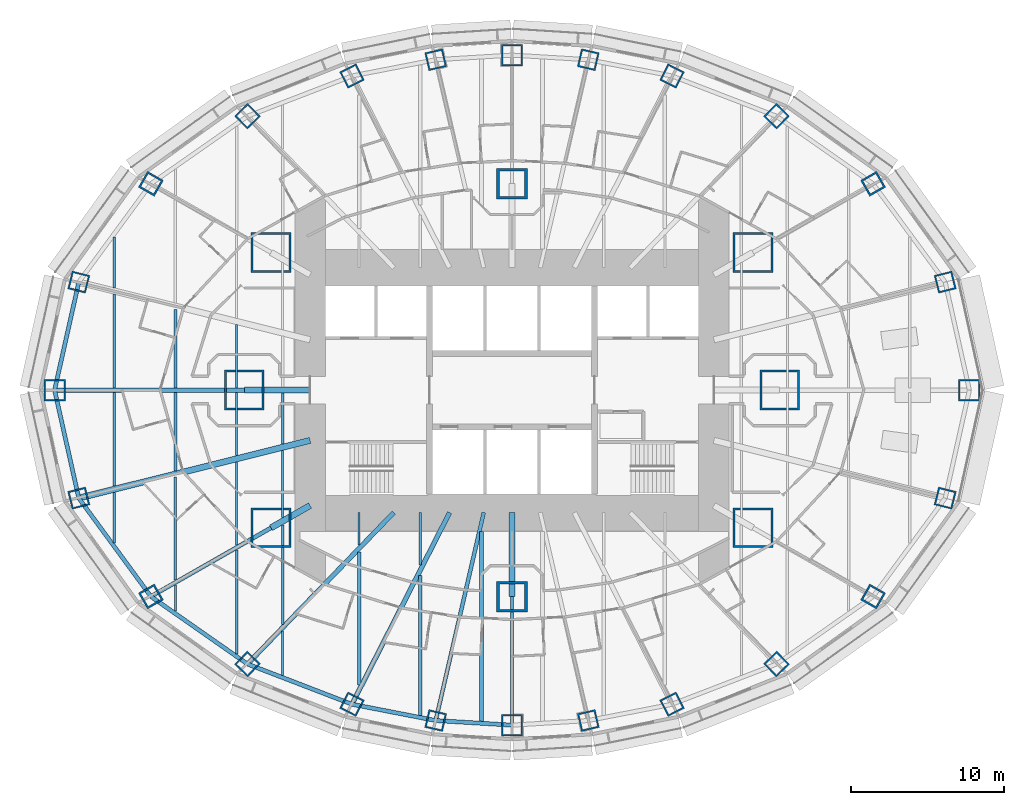
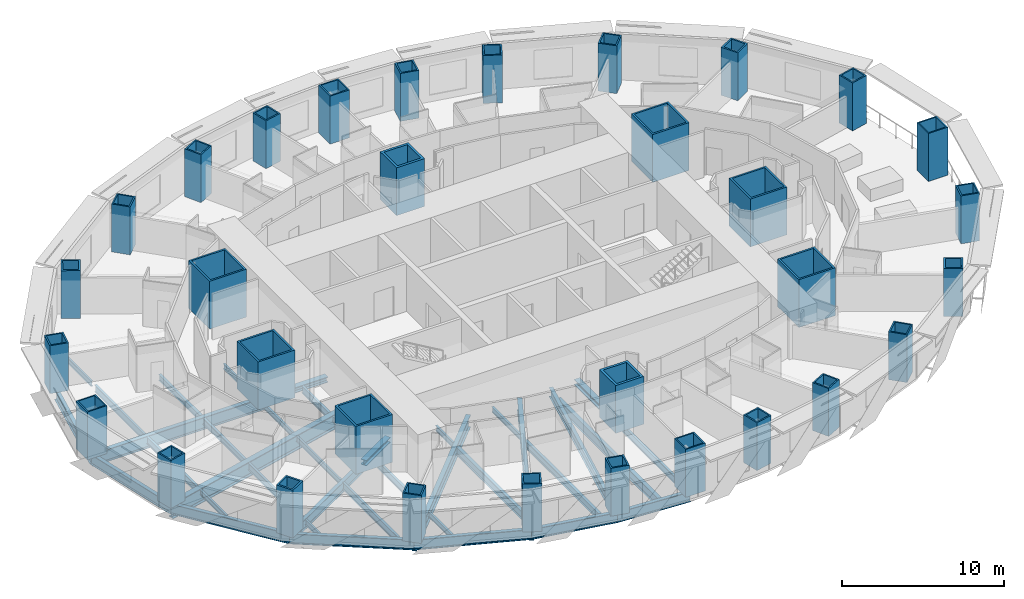
# One storey, part 1 of 17: 38 beams, 32 columns.
"""IFC4 building model written with IfcOpenShell, lengths in metres."""

from ifc_helpers import new_model, si_unit, direction, frame, origin, origin_2d, place, context, subcontext, project, spatial, rectangle, hollow_rectangle, i_section, extrude, material, material_profile, profile_set, type_object, element, save


model = new_model("IFC4")

# Units and contexts
model_context = context("Model", 3, precision=1e-05, world=origin(), true_north=direction((0.0, 1.0)))
body_context = subcontext(model_context, "Body", "Model", "MODEL_VIEW")
ifc_project = project(units=[si_unit("LENGTHUNIT", "METRE"), si_unit("AREAUNIT", "SQUARE_METRE"), si_unit("VOLUMEUNIT", "CUBIC_METRE"), si_unit("PLANEANGLEUNIT", "RADIAN"), si_unit("MASSUNIT", "GRAM", prefix="KILO")], contexts=[model_context])

# Site, building, storey
site_placement = place(None, origin())
site = spatial("IfcSite", under=ifc_project, at=site_placement, CompositionType="ELEMENT")
building_placement = place(site_placement, origin())
building = spatial("IfcBuilding", under=site, at=building_placement, Name="Lantaw Convention Tower", CompositionType="ELEMENT")
storey_placement = place(building_placement, frame((0.0, 0.0, 69.39990234375)))
storey = spatial("IfcBuildingStorey", under=building, at=storey_placement, Name="L15", CompositionType="ELEMENT", Elevation=69.39990234375)

# Columns
ifc_material_1 = material(Name="Steel EN 10025-3 S460N", Category="steel")
ifc_material_profile_1 = material_profile(ifc_material_1, hollow_rectangle(XDim=2.0, YDim=2.0, WallThickness=0.169921875, at=origin_2d()), Name="BOX2000X170")
ifc_material_2 = material(Name="Concrete C60/75", Category="concrete")
ifc_material_profile_2 = material_profile(ifc_material_2, rectangle(XDim=1.659912109375, YDim=1.659912109375, at=origin_2d()), Name="Concrete fill of BOX2000X170")
ifc_profile_set_1 = profile_set([ifc_material_profile_1, ifc_material_profile_2], Name="Steel EN 10025-3 S460N")
column_type_1 = type_object("IfcColumnType", Name="Column MC BOX2000X170", PredefinedType="COLUMN", material=ifc_profile_set_1)
for number, where, z_axis, x_axis, name in (
    (1, (0.0, 13.5, 0.0), (0.0, 0.0, 1.0), (1.0, 0.0, 0.0), "Mega column M3"),
    (2, (0.0, -13.5, 0.0), (0.0, 0.0, 1.0), (1.0, 0.0, 0.0), "Mega column M7"),
):
    element("IfcColumn", number, at=place(storey_placement, frame(where, z_axis=z_axis, x_axis=x_axis)), inside=storey, type_object=column_type_1, Name=name, PredefinedType="COLUMN", context=body_context, shape_type="SweptSolid", body=[
        extrude(hollow_rectangle(XDim=2.0, YDim=2.0, WallThickness=0.169921875, at=origin_2d()), origin(), (0.0, 0.0, 1.0), 3.60009765625),
    ])
ifc_material_profile_3 = material_profile(ifc_material_1, hollow_rectangle(XDim=2.60009765625, YDim=2.60009765625, WallThickness=0.1298828125, at=origin_2d()), Name="BOX2600X130")
ifc_material_profile_4 = material_profile(ifc_material_2, rectangle(XDim=2.340087890625, YDim=2.340087890625, at=origin_2d()), Name="Concrete fill of BOX2600X130")
ifc_profile_set_2 = profile_set([ifc_material_profile_3, ifc_material_profile_4], Name="Steel EN 10025-3 S460N")
column_type_2 = type_object("IfcColumnType", Name="Column MC BOX2600X130", PredefinedType="COLUMN", material=ifc_profile_set_2)
for number, where, z_axis, x_axis, name in (
    (3, (17.5, 0.0, 0.0), (0.0, 0.0, 1.0), (1.0, 0.0, 0.0), "Mega column M1"),
    (4, (15.75, 9.0, 0.0), (0.0, 0.0, 1.0), (1.0, 0.0, 0.0), "Mega column M2"),
    (5, (-15.75, 9.0, 0.0), (0.0, 0.0, 1.0), (1.0, 0.0, 0.0), "Mega column M4"),
    (6, (-17.5, 0.0, 0.0), (0.0, 0.0, 1.0), (1.0, 0.0, 0.0), "Mega column M5"),
    (7, (-15.75, -9.0, 0.0), (0.0, 0.0, 1.0), (1.0, 0.0, 0.0), "Mega column M6"),
    (8, (15.75, -9.0, 0.0), (0.0, 0.0, 1.0), (1.0, 0.0, 0.0), "Mega column M8"),
):
    element("IfcColumn", number, at=place(storey_placement, frame(where, z_axis=z_axis, x_axis=x_axis)), inside=storey, type_object=column_type_2, Name=name, PredefinedType="COLUMN", context=body_context, shape_type="SweptSolid", body=[
        extrude(hollow_rectangle(XDim=2.60009765625, YDim=2.60009765625, WallThickness=0.1298828125, at=origin_2d()), origin(), (0.0, 0.0, 1.0), 3.60009765625),
    ])
ifc_material_profile_5 = material_profile(ifc_material_1, hollow_rectangle(XDim=1.199951171875, YDim=1.199951171875, WallThickness=0.10009765625, at=origin_2d()), Name="BOX1200X100")
ifc_material_profile_6 = material_profile(ifc_material_2, rectangle(XDim=1.0, YDim=1.0, at=origin_2d()), Name="Concrete fill of BOX1200X100")
ifc_profile_set_3 = profile_set([ifc_material_profile_5, ifc_material_profile_6], Name="Steel EN 10025-3 S460N")
column_type_3 = type_object("IfcColumnType", Name="Column PC BOX1200X100", PredefinedType="COLUMN", material=ifc_profile_set_3)
for number, where, z_axis, x_axis, name in (
    (9, (28.31787109375, 7.060302734375, 0.0), (0.0, 0.0, 1.0), (0.970295726276, 0.2419218956, 0.0), "Perimeter column P2"),
    (10, (17.290771484375, 17.9052734375, 0.0), (0.0, 0.0, 1.0), (0.694658370459, 0.719339800339, 0.0), "Perimeter column P4"),
    (11, (10.462646484375, 20.533935546875, 0.0), (0.0, 0.0, 1.0), (0.45399049974, 0.891006524188, 0.0), "Perimeter column P5"),
    (12, (4.986328125, 21.59814453125, 0.0), (0.0, 0.0, 1.0), (0.224951054344, 0.974370064785, 0.0), "Perimeter column P6"),
    (13, (-4.986328125, 21.59814453125, 0.0), (0.0, 0.0, 1.0), (0.974370064785, 0.224951054344, 0.0), "Perimeter column P8"),
    (14, (-10.462646484375, 20.533935546875, 0.0), (0.0, 0.0, 1.0), (0.891006524188, 0.45399049974, 0.0), "Perimeter column P9"),
    (15, (-17.290771484375, 17.9052734375, 0.0), (0.0, 0.0, 1.0), (0.719339800339, 0.694658370459, 0.0), "Perimeter column P10"),
    (16, (-28.31787109375, 7.060302734375, 0.0), (0.0, 0.0, 1.0), (0.2419218956, 0.970295726276, 0.0), "Perimeter column P12"),
    (17, (-28.31787109375, -7.060302734375, 0.0), (0.0, 0.0, 1.0), (0.970295726276, 0.2419218956, 0.0), "Perimeter column P14"),
    (18, (-17.290771484375, -17.9052734375, 0.0), (0.0, 0.0, 1.0), (0.694658370459, 0.719339800339, 0.0), "Perimeter column P16"),
    (19, (-10.462646484375, -20.533935546875, 0.0), (0.0, 0.0, 1.0), (0.45399049974, 0.891006524188, 0.0), "Perimeter column P17"),
    (20, (-4.986328125, -21.59814453125, 0.0), (0.0, 0.0, 1.0), (0.224951054344, 0.974370064785, 0.0), "Perimeter column P18"),
    (21, (4.986328125, -21.59814453125, 0.0), (0.0, 0.0, 1.0), (0.974370064785, 0.224951054344, 0.0), "Perimeter column P20"),
    (22, (10.462646484375, -20.533935546875, 0.0), (0.0, 0.0, 1.0), (0.891006524188, 0.45399049974, 0.0), "Perimeter column P21"),
    (23, (17.290771484375, -17.9052734375, 0.0), (0.0, 0.0, 1.0), (0.719339800339, 0.694658370459, 0.0), "Perimeter column P22"),
    (24, (28.31787109375, -7.060302734375, 0.0), (0.0, 0.0, 1.0), (0.2419218956, 0.970295726276, 0.0), "Perimeter column P24"),
):
    element("IfcColumn", number, at=place(storey_placement, frame(where, z_axis=z_axis, x_axis=x_axis)), inside=storey, type_object=column_type_3, Name=name, PredefinedType="COLUMN", context=body_context, shape_type="SweptSolid", body=[
        extrude(hollow_rectangle(XDim=1.199951171875, YDim=1.199951171875, WallThickness=0.10009765625, at=origin_2d()), origin(), (0.0, 0.0, 1.0), 3.60009765625),
    ])
ifc_material_profile_7 = material_profile(ifc_material_1, hollow_rectangle(XDim=1.199951171875, YDim=1.199951171875, WallThickness=0.1201171875, at=origin_2d()), Name="BOX1200X120")
ifc_material_profile_8 = material_profile(ifc_material_2, rectangle(XDim=0.9599609375, YDim=0.9599609375, at=origin_2d()), Name="Concrete fill of BOX1200X120")
ifc_profile_set_4 = profile_set([ifc_material_profile_7, ifc_material_profile_8], Name="Steel EN 10025-3 S460N")
column_type_4 = type_object("IfcColumnType", Name="Column PC BOX1200X120", PredefinedType="COLUMN", material=ifc_profile_set_4)
for number, where, z_axis, x_axis, name in (
    (25, (23.60498046875, 13.488525390625, 0.0), (0.0, 0.0, 1.0), (0.86824298017, 0.496139221777, 0.0), "Perimeter column P3"),
    (26, (-23.60498046875, 13.488525390625, 0.0), (0.0, 0.0, 1.0), (0.496139221777, 0.86824298017, 0.0), "Perimeter column P11"),
    (27, (-23.60498046875, -13.488525390625, 0.0), (0.0, 0.0, 1.0), (0.86824298017, 0.496139221777, 0.0), "Perimeter column P15"),
    (28, (23.60498046875, -13.488525390625, 0.0), (0.0, 0.0, 1.0), (0.496139221777, 0.86824298017, 0.0), "Perimeter column P23"),
):
    element("IfcColumn", number, at=place(storey_placement, frame(where, z_axis=z_axis, x_axis=x_axis)), inside=storey, type_object=column_type_4, Name=name, PredefinedType="COLUMN", context=body_context, shape_type="SweptSolid", body=[
        extrude(hollow_rectangle(XDim=1.199951171875, YDim=1.199951171875, WallThickness=0.1201171875, at=origin_2d()), origin(), (0.0, 0.0, 1.0), 3.60009765625),
    ])
ifc_material_profile_9 = material_profile(ifc_material_1, hollow_rectangle(XDim=1.39990234375, YDim=1.39990234375, WallThickness=0.10009765625, at=origin_2d()), Name="BOX1400X100")
ifc_material_profile_10 = material_profile(ifc_material_2, rectangle(XDim=1.199951171875, YDim=1.199951171875, at=origin_2d()), Name="Concrete fill of BOX1400X100")
ifc_profile_set_5 = profile_set([ifc_material_profile_9, ifc_material_profile_10], Name="Steel EN 10025-3 S460N")
column_type_5 = type_object("IfcColumnType", Name="Column PC BOX1400X100", PredefinedType="COLUMN", material=ifc_profile_set_5)
for number, where, z_axis, x_axis, name in (
    (29, (29.89990234375, 0.0, 0.0), (0.0, 0.0, 1.0), (1.0, 0.0, 0.0), "Perimeter column P1"),
    (30, (0.0, 21.89990234375, 0.0), (0.0, 0.0, 1.0), (1.0, 0.0, 0.0), "Perimeter column P7"),
    (31, (-29.89990234375, 0.0, 0.0), (0.0, 0.0, 1.0), (1.0, 0.0, 0.0), "Perimeter column P13"),
    (32, (0.0, -21.89990234375, 0.0), (0.0, 0.0, 1.0), (1.0, 0.0, 0.0), "Perimeter column P19"),
):
    element("IfcColumn", number, at=place(storey_placement, frame(where, z_axis=z_axis, x_axis=x_axis)), inside=storey, type_object=column_type_5, Name=name, PredefinedType="COLUMN", context=body_context, shape_type="SweptSolid", body=[
        extrude(hollow_rectangle(XDim=1.39990234375, YDim=1.39990234375, WallThickness=0.10009765625, at=origin_2d()), origin(), (0.0, 0.0, 1.0), 3.60009765625),
    ])

# Beams
ifc_material_3 = material(Name="Steel ASTM A992", Category="steel")
ifc_material_profile_11 = material_profile(ifc_material_3, i_section(OverallWidth=0.2666015625, OverallDepth=0.76953125, WebThickness=0.015625, FlangeThickness=0.025390625, FilletRadius=0.0126953125, at=origin_2d()), Name="W30X132")
ifc_profile_set_6 = profile_set([ifc_material_profile_11], Name="Steel ASTM A992")
beam_type_1 = type_object("IfcBeamType", Name="Beam E W30X132", PredefinedType="SPANDREL", material=ifc_profile_set_6)
for number, where, z_axis, x_axis, name in (
    (33, (-28.31787109375, 7.060302734375, -0.53466796875), (-0.218652184873, -0.975802860239, 0.0), (0.975802860239, -0.218652184873, 0.0), "Edge beam 12"),
    (34, (-29.89990234375, 0.0, -0.53466796875), (0.218652184873, -0.975802860239, 0.0), (0.975802860239, 0.218652184873, 0.0), "Edge beam 13"),
):
    element("IfcBeam", number, at=place(storey_placement, frame(where, z_axis=z_axis, x_axis=x_axis)), inside=storey, type_object=beam_type_1, Name=name, PredefinedType="SPANDREL", context=body_context, shape_type="SweptSolid", body=[
        extrude(i_section(OverallWidth=0.2666015625, OverallDepth=0.76953125, WebThickness=0.015625, FlangeThickness=0.025390625, FilletRadius=0.0126953125, at=origin_2d()), origin(), (0.0, 0.0, 1.0), 7.2353515625),
    ])
beam_1_placement = place(storey_placement, frame((-28.31787109375, -7.060302734375, -0.53466796875), z_axis=(0.591270709086, -0.806473154281, 0.0), x_axis=(0.806473154281, 0.591270709086, 0.0)))
element("IfcBeam", 35, at=beam_1_placement, inside=storey, type_object=beam_type_1, Name="Edge beam 14", PredefinedType="SPANDREL", context=body_context, shape_type="SweptSolid", body=[
    extrude(i_section(OverallWidth=0.2666015625, OverallDepth=0.76953125, WebThickness=0.015625, FlangeThickness=0.025390625, FilletRadius=0.0126953125, at=origin_2d()), origin(), (0.0, 0.0, 1.0), 7.970703125),
])
beam_2_placement = place(storey_placement, frame((-23.60498046875, -13.488525390625, -0.53466796875), z_axis=(0.81942686407, -0.57318375277, 0.0), x_axis=(0.57318375277, 0.81942686407, 0.0)))
element("IfcBeam", 36, at=beam_2_placement, inside=storey, type_object=beam_type_1, Name="Edge beam 15", PredefinedType="SPANDREL", context=body_context, shape_type="SweptSolid", body=[
    extrude(i_section(OverallWidth=0.2666015625, OverallDepth=0.76953125, WebThickness=0.015625, FlangeThickness=0.025390625, FilletRadius=0.0126953125, at=origin_2d()), origin(), (0.0, 0.0, 1.0), 7.70556640625),
])
beam_3_placement = place(storey_placement, frame((-17.290771484375, -17.9052734375, -0.53466796875), z_axis=(0.933232900641, -0.359271976588, 0.0), x_axis=(0.359271976588, 0.933232900641, 0.0)))
element("IfcBeam", 37, at=beam_3_placement, inside=storey, type_object=beam_type_1, Name="Edge beam 16", PredefinedType="SPANDREL", context=body_context, shape_type="SweptSolid", body=[
    extrude(i_section(OverallWidth=0.2666015625, OverallDepth=0.76953125, WebThickness=0.015625, FlangeThickness=0.025390625, FilletRadius=0.0126953125, at=origin_2d()), origin(), (0.0, 0.0, 1.0), 7.316650390625),
])
beam_4_placement = place(storey_placement, frame((-10.462646484375, -20.533935546875, -0.53466796875), z_axis=(0.981636565323, -0.190760723474, 0.0), x_axis=(0.190760723474, 0.981636565323, 0.0)))
element("IfcBeam", 38, at=beam_4_placement, inside=storey, type_object=beam_type_1, Name="Edge beam 17", PredefinedType="SPANDREL", context=body_context, shape_type="SweptSolid", body=[
    extrude(i_section(OverallWidth=0.2666015625, OverallDepth=0.76953125, WebThickness=0.015625, FlangeThickness=0.025390625, FilletRadius=0.0126953125, at=origin_2d()), origin(), (0.0, 0.0, 1.0), 5.578857421875),
])
beam_5_placement = place(storey_placement, frame((-4.986328125, -21.59814453125, -0.53466796875), z_axis=(0.998173858406, -0.060406526096, 0.0), x_axis=(0.060406526096, 0.998173858406, 0.0)))
element("IfcBeam", 39, at=beam_5_placement, inside=storey, type_object=beam_type_1, Name="Edge beam 18", PredefinedType="SPANDREL", context=body_context, shape_type="SweptSolid", body=[
    extrude(i_section(OverallWidth=0.2666015625, OverallDepth=0.76953125, WebThickness=0.015625, FlangeThickness=0.025390625, FilletRadius=0.0126953125, at=origin_2d()), origin(), (0.0, 0.0, 1.0), 4.995361328125),
])
ifc_material_profile_12 = material_profile(ifc_material_3, i_section(OverallWidth=0.1650390625, OverallDepth=0.52587890625, WebThickness=0.0087890625, FlangeThickness=0.011474609375, FilletRadius=0.0126953125, at=origin_2d()), Name="W21X44")
ifc_profile_set_7 = profile_set([ifc_material_profile_12], Name="Steel ASTM A992")
beam_type_2 = type_object("IfcBeamType", Name="Beam G W21X44", PredefinedType="BEAM", material=ifc_profile_set_7)
beam_6_placement = place(storey_placement, frame((0.0, -13.5, -0.412841796875), z_axis=(0.0, -1.0, 0.0), x_axis=(1.0, 0.0, 0.0)))
element("IfcBeam", 40, at=beam_6_placement, inside=storey, type_object=beam_type_2, Name="Floor girder on ray 19", PredefinedType="BEAM", context=body_context, shape_type="SweptSolid", body=[
    extrude(i_section(OverallWidth=0.1650390625, OverallDepth=0.52587890625, WebThickness=0.0087890625, FlangeThickness=0.011474609375, FilletRadius=0.0126953125, at=origin_2d()), origin(), (0.0, 0.0, 1.0), 8.39990234375),
])
ifc_material_profile_13 = material_profile(ifc_material_3, i_section(OverallWidth=0.25390625, OverallDepth=0.683349609375, WebThickness=0.012451171875, FlangeThickness=0.01904296875, FilletRadius=0.01513671875, at=origin_2d()), Name="W27X94")
ifc_profile_set_8 = profile_set([ifc_material_profile_13], Name="Steel ASTM A992")
beam_type_3 = type_object("IfcBeamType", Name="Beam G W27X94", PredefinedType="BEAM", material=ifc_profile_set_8)
beam_7_placement = place(storey_placement, frame((-1.846923828125, -8.0, -0.491455078125), z_axis=(-0.224952773175, -0.97436966796, 0.0), x_axis=(0.97436966796, -0.224952773175, 0.0)))
element("IfcBeam", 41, at=beam_7_placement, inside=storey, type_object=beam_type_3, Name="Floor girder on ray 18", PredefinedType="BEAM", context=body_context, shape_type="SweptSolid", body=[
    extrude(i_section(OverallWidth=0.25390625, OverallDepth=0.683349609375, WebThickness=0.012451171875, FlangeThickness=0.01904296875, FilletRadius=0.01513671875, at=origin_2d()), origin(), (0.0, 0.0, 1.0), 13.955810546875),
])
ifc_material_profile_14 = material_profile(ifc_material_3, i_section(OverallWidth=0.2666015625, OverallDepth=0.7568359375, WebThickness=0.013916015625, FlangeThickness=0.019287109375, FilletRadius=0.0126953125, at=origin_2d()), Name="W30X108")
ifc_profile_set_9 = profile_set([ifc_material_profile_14], Name="Steel ASTM A992")
beam_type_4 = type_object("IfcBeamType", Name="Beam G W30X108", PredefinedType="BEAM", material=ifc_profile_set_9)
beam_8_placement = place(storey_placement, frame((-15.75, -9.0, -0.5283203125), z_axis=(-0.868244802791, -0.496136032179, 0.0), x_axis=(0.496136032179, -0.868244802791, 0.0)))
element("IfcBeam", 42, at=beam_8_placement, inside=storey, type_object=beam_type_4, Name="Floor girder on ray 15", PredefinedType="BEAM", context=body_context, shape_type="SweptSolid", body=[
    extrude(i_section(OverallWidth=0.2666015625, OverallDepth=0.7568359375, WebThickness=0.013916015625, FlangeThickness=0.019287109375, FilletRadius=0.0126953125, at=origin_2d()), origin(), (0.0, 0.0, 1.0), 9.046875),
])
ifc_material_profile_15 = material_profile(ifc_material_3, i_section(OverallWidth=0.307373046875, OverallDepth=0.922119140625, WebThickness=0.018310546875, FlangeThickness=0.030029296875, FilletRadius=0.0126953125, at=origin_2d()), Name="W36X182")
ifc_profile_set_10 = profile_set([ifc_material_profile_15], Name="Steel ASTM A992")
beam_type_5 = type_object("IfcBeamType", Name="Beam G W36X182", PredefinedType="BEAM", material=ifc_profile_set_10)
beam_9_placement = place(storey_placement, frame((-17.5, 0.0, -0.61083984375), z_axis=(-1.0, 0.0, 0.0), x_axis=(0.0, -1.0, 0.0)))
element("IfcBeam", 43, at=beam_9_placement, inside=storey, type_object=beam_type_5, Name="Floor girder on ray 13", PredefinedType="BEAM", context=body_context, shape_type="SweptSolid", body=[
    extrude(i_section(OverallWidth=0.307373046875, OverallDepth=0.922119140625, WebThickness=0.018310546875, FlangeThickness=0.030029296875, FilletRadius=0.0126953125, at=origin_2d()), origin(), (0.0, 0.0, 1.0), 12.39990234375),
])
beam_10_placement = place(storey_placement, frame((-7.7255859375, -8.0, -0.61083984375), z_axis=(-0.694649884291, -0.719347995239, 0.0), x_axis=(0.719347995239, -0.694649884291, 0.0)))
element("IfcBeam", 44, at=beam_10_placement, inside=storey, type_object=beam_type_5, Name="Floor girder on ray 16", PredefinedType="BEAM", context=body_context, shape_type="SweptSolid", body=[
    extrude(i_section(OverallWidth=0.307373046875, OverallDepth=0.922119140625, WebThickness=0.018310546875, FlangeThickness=0.030029296875, FilletRadius=0.0126953125, at=origin_2d()), origin(), (0.0, 0.0, 1.0), 13.769775390625),
])
beam_11_placement = place(storey_placement, frame((-4.076171875, -8.0, -0.61083984375), z_axis=(-0.453997016122, -0.891003203896, 0.0), x_axis=(0.891003203896, -0.453997016122, 0.0)))
element("IfcBeam", 45, at=beam_11_placement, inside=storey, type_object=beam_type_5, Name="Floor girder on ray 17", PredefinedType="BEAM", context=body_context, shape_type="SweptSolid", body=[
    extrude(i_section(OverallWidth=0.307373046875, OverallDepth=0.922119140625, WebThickness=0.018310546875, FlangeThickness=0.030029296875, FilletRadius=0.0126953125, at=origin_2d()), origin(), (0.0, 0.0, 1.0), 14.067138671875),
])
ifc_material_profile_16 = material_profile(ifc_material_3, i_section(OverallWidth=0.40380859375, OverallDepth=1.11767578125, WebThickness=0.026123046875, FlangeThickness=0.044921875, FilletRadius=0.02001953125, at=origin_2d()), Name="W44X335")
ifc_profile_set_11 = profile_set([ifc_material_profile_16], Name="Steel ASTM A992")
beam_type_6 = type_object("IfcBeamType", Name="Beam G W44X335", PredefinedType="BEAM", material=ifc_profile_set_11)
beam_12_placement = place(storey_placement, frame((-13.199951171875, -3.291015625, -0.708740234375), z_axis=(-0.970296233567, -0.241919860957, 0.0), x_axis=(0.241919860957, -0.970296233567, 0.0)))
element("IfcBeam", 46, at=beam_12_placement, inside=storey, type_object=beam_type_6, Name="Floor girder on ray 14", PredefinedType="BEAM", context=body_context, shape_type="SweptSolid", body=[
    extrude(i_section(OverallWidth=0.40380859375, OverallDepth=1.11767578125, WebThickness=0.026123046875, FlangeThickness=0.044921875, FilletRadius=0.02001953125, at=origin_2d()), origin(), (0.0, 0.0, 1.0), 15.580810546875),
])
ifc_material_profile_17 = material_profile(ifc_material_3, i_section(OverallWidth=0.40380859375, OverallDepth=0.406494140625, WebThickness=0.027099609375, FlangeThickness=0.043701171875, FilletRadius=0.01513671875, at=origin_2d()), Name="W14X233")
ifc_profile_set_12 = profile_set([ifc_material_profile_17], Name="Steel ASTM A992")
beam_type_7 = type_object("IfcBeamType", Name="Beam GM W14X233", PredefinedType="BEAM", material=ifc_profile_set_12)
beam_13_placement = place(storey_placement, frame((-13.199951171875, 0.0, -0.35302734375), z_axis=(-1.0, 0.0, 0.0), x_axis=(0.0, -1.0, 0.0)))
element("IfcBeam", 47, at=beam_13_placement, inside=storey, type_object=beam_type_7, Name="Core link beam on ray 13", PredefinedType="BEAM", context=body_context, shape_type="SweptSolid", body=[
    extrude(i_section(OverallWidth=0.40380859375, OverallDepth=0.406494140625, WebThickness=0.027099609375, FlangeThickness=0.043701171875, FilletRadius=0.01513671875, at=origin_2d()), origin(), (0.0, 0.0, 1.0), 4.300048828125),
])
beam_14_placement = place(storey_placement, frame((-13.199951171875, -7.54296875, -0.35302734375), z_axis=(-0.868263603466, -0.496103129295, 0.0), x_axis=(0.496103129295, -0.868263603466, 0.0)))
element("IfcBeam", 48, at=beam_14_placement, inside=storey, type_object=beam_type_7, Name="Core link beam on ray 15", PredefinedType="BEAM", context=body_context, shape_type="SweptSolid", body=[
    extrude(i_section(OverallWidth=0.40380859375, OverallDepth=0.406494140625, WebThickness=0.027099609375, FlangeThickness=0.043701171875, FilletRadius=0.01513671875, at=origin_2d()), origin(), (0.0, 0.0, 1.0), 2.93701171875),
])
beam_15_placement = place(storey_placement, frame((0.0, -8.0, -0.35302734375), z_axis=(0.0, -1.0, 0.0), x_axis=(1.0, 0.0, 0.0)))
element("IfcBeam", 49, at=beam_15_placement, inside=storey, type_object=beam_type_7, Name="Core link beam on ray 19", PredefinedType="BEAM", context=body_context, shape_type="SweptSolid", body=[
    extrude(i_section(OverallWidth=0.40380859375, OverallDepth=0.406494140625, WebThickness=0.027099609375, FlangeThickness=0.043701171875, FilletRadius=0.01513671875, at=origin_2d()), origin(), (0.0, 0.0, 1.0), 5.5),
])
ifc_material_profile_18 = material_profile(ifc_material_3, i_section(OverallWidth=0.140380859375, OverallDepth=0.40380859375, WebThickness=0.007080078125, FlangeThickness=0.01123046875, FilletRadius=0.01025390625, at=origin_2d()), Name="W16X31")
ifc_profile_set_13 = profile_set([ifc_material_profile_18], Name="Steel ASTM A992")
beam_type_8 = type_object("IfcBeamType", Name="Beam J W16X31", PredefinedType="JOIST", material=ifc_profile_set_13)
for number, where, z_axis, x_axis, name in (
    (50, (-26.0, -9.996337890625, -0.351806640625), (0.0, 1.0, 0.0), (-1.0, 0.0, 0.0), "Floor joist"),
    (51, (-26.0, 6.690673828125, -0.351806640625), (0.0, 1.0, 0.0), (-1.0, 0.0, 0.0), "Floor joist"),
):
    element("IfcBeam", number, at=place(storey_placement, frame(where, z_axis=z_axis, x_axis=x_axis)), inside=storey, type_object=beam_type_8, Name=name, PredefinedType="JOIST", context=body_context, shape_type="SweptSolid", body=[
        extrude(i_section(OverallWidth=0.140380859375, OverallDepth=0.40380859375, WebThickness=0.007080078125, FlangeThickness=0.01123046875, FilletRadius=0.01025390625, at=origin_2d()), origin(), (0.0, 0.0, 1.0), 3.3056640625),
    ])
beam_16_placement = place(storey_placement, frame((-22.0, -14.448486328125, -0.351806640625), z_axis=(0.0, 1.0, 0.0), x_axis=(-1.0, 0.0, 0.0)))
element("IfcBeam", 52, at=beam_16_placement, inside=storey, type_object=beam_type_8, Name="Floor joist", PredefinedType="JOIST", context=body_context, shape_type="SweptSolid", body=[
    extrude(i_section(OverallWidth=0.140380859375, OverallDepth=0.40380859375, WebThickness=0.007080078125, FlangeThickness=0.01123046875, FilletRadius=0.01025390625, at=origin_2d()), origin(), (0.0, 0.0, 1.0), 1.723388671875),
])
beam_17_placement = place(storey_placement, frame((-18.0, -10.132080078125, -0.351806640625), z_axis=(0.0, 1.0, 0.0), x_axis=(-1.0, 0.0, 0.0)))
element("IfcBeam", 53, at=beam_17_placement, inside=storey, type_object=beam_type_8, Name="Floor joist", PredefinedType="JOIST", context=body_context, shape_type="SweptSolid", body=[
    extrude(i_section(OverallWidth=0.140380859375, OverallDepth=0.40380859375, WebThickness=0.007080078125, FlangeThickness=0.01123046875, FilletRadius=0.01025390625, at=origin_2d()), origin(), (0.0, 0.0, 1.0), 5.43603515625),
])
for number, where, z_axis, x_axis, name in (
    (54, (-18.0, -4.27978515625, -0.351806640625), (0.0, 1.0, 0.0), (-1.0, 0.0, 0.0), "Floor joist"),
    (55, (-18.0, 0.153564453125, -0.351806640625), (0.0, 1.0, 0.0), (-1.0, 0.0, 0.0), "Floor joist"),
):
    element("IfcBeam", number, at=place(storey_placement, frame(where, z_axis=z_axis, x_axis=x_axis)), inside=storey, type_object=beam_type_8, Name=name, PredefinedType="JOIST", context=body_context, shape_type="SweptSolid", body=[
        extrude(i_section(OverallWidth=0.140380859375, OverallDepth=0.40380859375, WebThickness=0.007080078125, FlangeThickness=0.01123046875, FilletRadius=0.01025390625, at=origin_2d()), origin(), (0.0, 0.0, 1.0), 4.126220703125),
    ])
beam_18_placement = place(storey_placement, frame((-15.0, -18.644287109375, -0.351806640625), z_axis=(0.0, 1.0, 0.0), x_axis=(-1.0, 0.0, 0.0)))
element("IfcBeam", 56, at=beam_18_placement, inside=storey, type_object=beam_type_8, Name="Floor joist", PredefinedType="JOIST", context=body_context, shape_type="SweptSolid", body=[
    extrude(i_section(OverallWidth=0.140380859375, OverallDepth=0.40380859375, WebThickness=0.007080078125, FlangeThickness=0.01123046875, FilletRadius=0.01025390625, at=origin_2d()), origin(), (0.0, 0.0, 1.0), 2.89013671875),
])
beam_19_placement = place(storey_placement, frame((-15.0, -8.3388671875, -0.351806640625), z_axis=(0.0, 1.0, 0.0), x_axis=(-1.0, 0.0, 0.0)))
element("IfcBeam", 57, at=beam_19_placement, inside=storey, type_object=beam_type_8, Name="Floor joist", PredefinedType="JOIST", context=body_context, shape_type="SweptSolid", body=[
    extrude(i_section(OverallWidth=0.140380859375, OverallDepth=0.40380859375, WebThickness=0.007080078125, FlangeThickness=0.01123046875, FilletRadius=0.01025390625, at=origin_2d()), origin(), (0.0, 0.0, 1.0), 4.390869140625),
])
beam_20_placement = place(storey_placement, frame((-10.0, -10.134033203125, -0.351806640625), z_axis=(0.0, 1.0, 0.0), x_axis=(-1.0, 0.0, 0.0)))
element("IfcBeam", 58, at=beam_20_placement, inside=storey, type_object=beam_type_8, Name="Floor joist", PredefinedType="JOIST", context=body_context, shape_type="SweptSolid", body=[
    extrude(i_section(OverallWidth=0.140380859375, OverallDepth=0.40380859375, WebThickness=0.007080078125, FlangeThickness=0.01123046875, FilletRadius=0.01025390625, at=origin_2d()), origin(), (0.0, 0.0, 1.0), 2.134033203125),
])
beam_21_placement = place(storey_placement, frame((-6.0, -11.437255859375, -0.351806640625), z_axis=(0.0, 1.0, 0.0), x_axis=(-1.0, 0.0, 0.0)))
element("IfcBeam", 59, at=beam_21_placement, inside=storey, type_object=beam_type_8, Name="Floor joist", PredefinedType="JOIST", context=body_context, shape_type="SweptSolid", body=[
    extrude(i_section(OverallWidth=0.140380859375, OverallDepth=0.40380859375, WebThickness=0.007080078125, FlangeThickness=0.01123046875, FilletRadius=0.01025390625, at=origin_2d()), origin(), (0.0, 0.0, 1.0), 3.437255859375),
])
ifc_material_profile_19 = material_profile(ifc_material_3, i_section(OverallWidth=0.1904296875, OverallDepth=0.457275390625, WebThickness=0.009033203125, FlangeThickness=0.014404296875, FilletRadius=0.01025390625, at=origin_2d()), Name="W18X50")
ifc_profile_set_14 = profile_set([ifc_material_profile_19], Name="Steel ASTM A992")
beam_type_9 = type_object("IfcBeamType", Name="Beam J W18X50", PredefinedType="JOIST", material=ifc_profile_set_14)
for number, where, z_axis, x_axis, name in (
    (60, (-22.0, -5.277099609375, -0.37841796875), (0.0, 1.0, 0.0), (-1.0, 0.0, 0.0), "Floor joist"),
    (61, (-22.0, 0.153564453125, -0.37841796875), (0.0, 1.0, 0.0), (-1.0, 0.0, 0.0), "Floor joist"),
):
    element("IfcBeam", number, at=place(storey_placement, frame(where, z_axis=z_axis, x_axis=x_axis)), inside=storey, type_object=beam_type_9, Name=name, PredefinedType="JOIST", context=body_context, shape_type="SweptSolid", body=[
        extrude(i_section(OverallWidth=0.1904296875, OverallDepth=0.457275390625, WebThickness=0.009033203125, FlangeThickness=0.014404296875, FilletRadius=0.01025390625, at=origin_2d()), origin(), (0.0, 0.0, 1.0), 5.12353515625),
    ])
ifc_material_profile_20 = material_profile(ifc_material_3, i_section(OverallWidth=0.1650390625, OverallDepth=0.52587890625, WebThickness=0.0087890625, FlangeThickness=0.011474609375, FilletRadius=0.0126953125, at=origin_2d()), Name="W21X44")
ifc_profile_set_15 = profile_set([ifc_material_profile_20], Name="Steel ASTM A992")
beam_type_10 = type_object("IfcBeamType", Name="Beam J W21X44", PredefinedType="JOIST", material=ifc_profile_set_15)
beam_22_placement = place(storey_placement, frame((-22.0, -12.41796875, -0.412841796875), z_axis=(0.0, 1.0, 0.0), x_axis=(-1.0, 0.0, 0.0)))
element("IfcBeam", 62, at=beam_22_placement, inside=storey, type_object=beam_type_10, Name="Floor joist", PredefinedType="JOIST", context=body_context, shape_type="SweptSolid", body=[
    extrude(i_section(OverallWidth=0.1650390625, OverallDepth=0.52587890625, WebThickness=0.0087890625, FlangeThickness=0.011474609375, FilletRadius=0.0126953125, at=origin_2d()), origin(), (0.0, 0.0, 1.0), 6.724609375),
])
beam_23_placement = place(storey_placement, frame((-18.0, -17.246337890625, -0.412841796875), z_axis=(0.0, 1.0, 0.0), x_axis=(-1.0, 0.0, 0.0)))
element("IfcBeam", 63, at=beam_23_placement, inside=storey, type_object=beam_type_10, Name="Floor joist", PredefinedType="JOIST", context=body_context, shape_type="SweptSolid", body=[
    extrude(i_section(OverallWidth=0.1650390625, OverallDepth=0.52587890625, WebThickness=0.0087890625, FlangeThickness=0.011474609375, FilletRadius=0.0126953125, at=origin_2d()), origin(), (0.0, 0.0, 1.0), 6.80712890625),
])
beam_24_placement = place(storey_placement, frame((-15.0, -15.311767578125, -0.412841796875), z_axis=(0.0, 1.0, 0.0), x_axis=(-1.0, 0.0, 0.0)))
element("IfcBeam", 64, at=beam_24_placement, inside=storey, type_object=beam_type_10, Name="Floor joist", PredefinedType="JOIST", context=body_context, shape_type="SweptSolid", body=[
    extrude(i_section(OverallWidth=0.1650390625, OverallDepth=0.52587890625, WebThickness=0.0087890625, FlangeThickness=0.011474609375, FilletRadius=0.0126953125, at=origin_2d()), origin(), (0.0, 0.0, 1.0), 6.5078125),
])
ifc_material_profile_21 = material_profile(ifc_material_3, i_section(OverallWidth=0.165771484375, OverallDepth=0.5283203125, WebThickness=0.009765625, FlangeThickness=0.013671875, FilletRadius=0.012939453125, at=origin_2d()), Name="W21X50")
ifc_profile_set_16 = profile_set([ifc_material_profile_21], Name="Steel ASTM A992")
beam_type_11 = type_object("IfcBeamType", Name="Beam J W21X50", PredefinedType="JOIST", material=ifc_profile_set_16)
for number, where, z_axis, x_axis, name in (
    (65, (-26.0, -6.2744140625, -0.4140625), (0.0, 1.0, 0.0), (-1.0, 0.0, 0.0), "Floor joist"),
    (66, (-26.0, 0.153564453125, -0.4140625), (0.0, 1.0, 0.0), (-1.0, 0.0, 0.0), "Floor joist"),
):
    element("IfcBeam", number, at=place(storey_placement, frame(where, z_axis=z_axis, x_axis=x_axis)), inside=storey, type_object=beam_type_11, Name=name, PredefinedType="JOIST", context=body_context, shape_type="SweptSolid", body=[
        extrude(i_section(OverallWidth=0.165771484375, OverallDepth=0.5283203125, WebThickness=0.009765625, FlangeThickness=0.013671875, FilletRadius=0.012939453125, at=origin_2d()), origin(), (0.0, 0.0, 1.0), 6.120849609375),
    ])
beam_25_placement = place(storey_placement, frame((-15.0, -3.53173828125, -0.4140625), z_axis=(0.0, 1.0, 0.0), x_axis=(-1.0, 0.0, 0.0)))
element("IfcBeam", 67, at=beam_25_placement, inside=storey, type_object=beam_type_11, Name="Floor joist", PredefinedType="JOIST", context=body_context, shape_type="SweptSolid", body=[
    extrude(i_section(OverallWidth=0.165771484375, OverallDepth=0.5283203125, WebThickness=0.009765625, FlangeThickness=0.013671875, FilletRadius=0.012939453125, at=origin_2d()), origin(), (0.0, 0.0, 1.0), 3.329833984375),
])
ifc_material_profile_22 = material_profile(ifc_material_3, i_section(OverallWidth=0.2099609375, OverallDepth=0.535888671875, WebThickness=0.010986328125, FlangeThickness=0.017333984375, FilletRadius=0.012939453125, at=origin_2d()), Name="W21X68")
ifc_profile_set_17 = profile_set([ifc_material_profile_22], Name="Steel ASTM A992")
beam_type_12 = type_object("IfcBeamType", Name="Beam J W21X68", PredefinedType="JOIST", material=ifc_profile_set_17)
beam_26_placement = place(storey_placement, frame((-6.0, -21.26513671875, -0.41796875), z_axis=(0.0, 1.0, 0.0), x_axis=(-1.0, 0.0, 0.0)))
element("IfcBeam", 68, at=beam_26_placement, inside=storey, type_object=beam_type_12, Name="Floor joist", PredefinedType="JOIST", context=body_context, shape_type="SweptSolid", body=[
    extrude(i_section(OverallWidth=0.2099609375, OverallDepth=0.535888671875, WebThickness=0.010986328125, FlangeThickness=0.017333984375, FilletRadius=0.012939453125, at=origin_2d()), origin(), (0.0, 0.0, 1.0), 9.15087890625),
])
ifc_material_profile_23 = material_profile(ifc_material_3, i_section(OverallWidth=0.227783203125, OverallDepth=0.60205078125, WebThickness=0.010498046875, FlangeThickness=0.014892578125, FilletRadius=0.012939453125, at=origin_2d()), Name="W24X68")
ifc_profile_set_18 = profile_set([ifc_material_profile_23], Name="Steel ASTM A992")
beam_type_13 = type_object("IfcBeamType", Name="Beam J W24X68", PredefinedType="JOIST", material=ifc_profile_set_18)
beam_27_placement = place(storey_placement, frame((-10.0, -19.28759765625, -0.450927734375), z_axis=(0.0, 1.0, 0.0), x_axis=(-1.0, 0.0, 0.0)))
element("IfcBeam", 69, at=beam_27_placement, inside=storey, type_object=beam_type_13, Name="Floor joist", PredefinedType="JOIST", context=body_context, shape_type="SweptSolid", body=[
    extrude(i_section(OverallWidth=0.227783203125, OverallDepth=0.60205078125, WebThickness=0.010498046875, FlangeThickness=0.014892578125, FilletRadius=0.012939453125, at=origin_2d()), origin(), (0.0, 0.0, 1.0), 8.711181640625),
])
ifc_material_profile_24 = material_profile(ifc_material_3, i_section(OverallWidth=0.25390625, OverallDepth=0.700927734375, WebThickness=0.015380859375, FlangeThickness=0.02783203125, FilletRadius=0.01513671875, at=origin_2d()), Name="W27X129")
ifc_profile_set_19 = profile_set([ifc_material_profile_24], Name="Steel ASTM A992")
beam_type_14 = type_object("IfcBeamType", Name="Beam J W27X129", PredefinedType="JOIST", material=ifc_profile_set_19)
beam_28_placement = place(storey_placement, frame((-2.0, -21.645263671875, -0.50048828125), z_axis=(0.0, 1.0, 0.0), x_axis=(-1.0, 0.0, 0.0)))
element("IfcBeam", 70, at=beam_28_placement, inside=storey, type_object=beam_type_14, Name="Floor joist", PredefinedType="JOIST", context=body_context, shape_type="SweptSolid", body=[
    extrude(i_section(OverallWidth=0.25390625, OverallDepth=0.700927734375, WebThickness=0.015380859375, FlangeThickness=0.02783203125, FilletRadius=0.01513671875, at=origin_2d()), origin(), (0.0, 0.0, 1.0), 12.417724609375),
])

save(model, "model.ifc")
